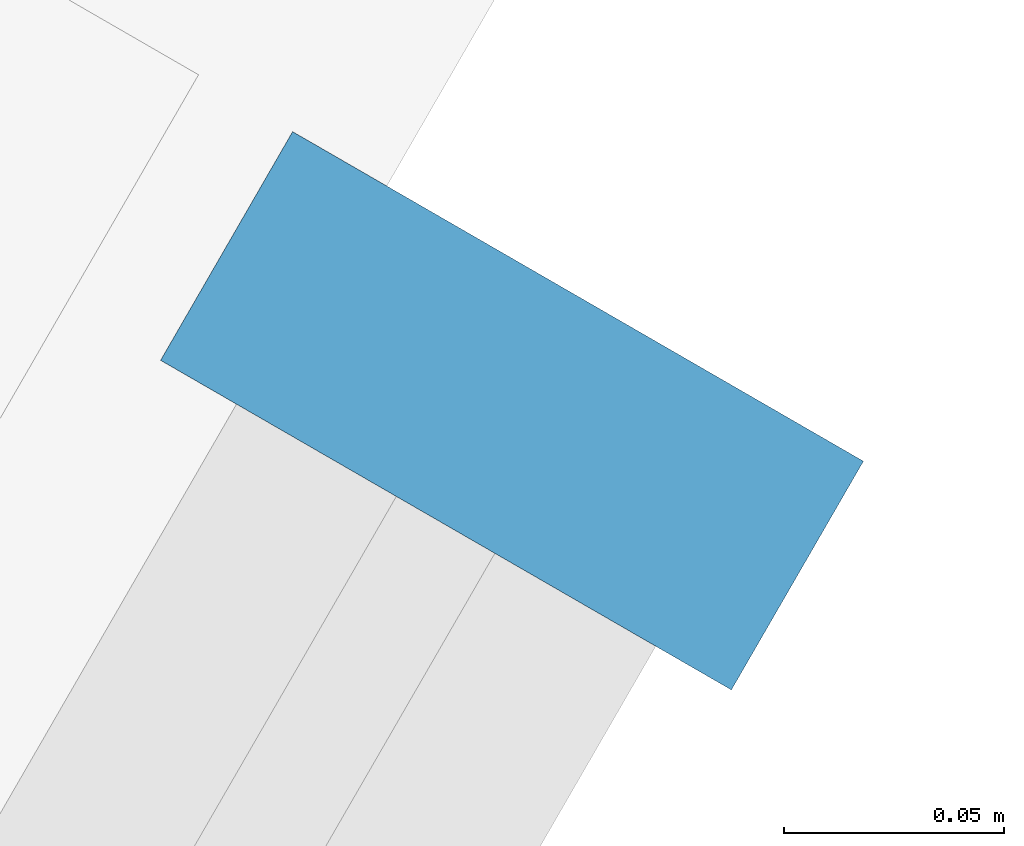
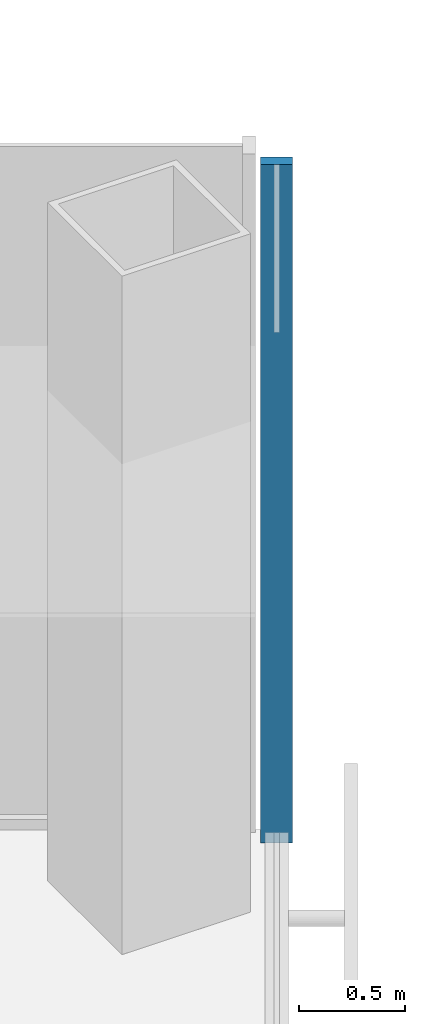
# One storey, part 9 of 18: 1 member, 1 element without a shape of its own.
"""IFC4 building model written with IfcOpenShell, lengths in metres."""

from ifc_helpers import new_model, si_unit, direction, frame, origin, origin_2d, place, context, subcontext, project, spatial, rectangle, extrude, material, material_profile, profile_set, type_object, element, aggregate, save


model = new_model("IFC4")

# Units and contexts
model_context = context("Model", 3, precision=1e-05, world=origin(), true_north=direction((0.0, 1.0)))
body_context = subcontext(model_context, "Body", "Model", "MODEL_VIEW")
ifc_project = project(units=[si_unit("LENGTHUNIT", "METRE"), si_unit("AREAUNIT", "SQUARE_METRE"), si_unit("VOLUMEUNIT", "CUBIC_METRE"), si_unit("PLANEANGLEUNIT", "RADIAN"), si_unit("MASSUNIT", "GRAM", prefix="KILO")], contexts=[model_context])

# Site, building, storey
site_placement = place(None, origin())
site = spatial("IfcSite", under=ifc_project, at=site_placement, CompositionType="ELEMENT")
building_placement = place(site_placement, origin())
building = spatial("IfcBuilding", under=site, at=building_placement, Name="Kasaneha Research Tower", CompositionType="ELEMENT")
storey_placement = place(building_placement, frame((0.0, 0.0, 172.10009765625)))
storey = spatial("IfcBuildingStorey", under=building, at=storey_placement, Name="L43", CompositionType="ELEMENT", Elevation=172.10009765625)

# Curtain wall, member
ifc_material_1 = material(Name="Glass and aluminium", Category="aluminium")
curtain_wall_type = type_object("IfcCurtainWallType", Name="Mid-rise office curtain wall", PredefinedType="USERDEFINED", material=ifc_material_1)
curtain_wall_placement = place(storey_placement, origin())
curtain_wall = element("IfcCurtainWall", 1, at=curtain_wall_placement, inside=storey, type_object=curtain_wall_type, Name="CW-O2 L43 run 04a", ObjectType="UNITISED CURTAIN WALL", PredefinedType="USERDEFINED")
ifc_material_2 = material(Name="Aluminium 6063-T6", Category="aluminium")
ifc_material_profile = material_profile(ifc_material_2, rectangle(XDim=0.06005859375, YDim=0.14990234375, at=origin_2d()), Name="CW-O2 mullion 60x150")
ifc_profile_set = profile_set([ifc_material_profile], Name="Aluminium 6063-T6")
member_type = type_object("IfcMemberType", Name="CW-O2 mullion", PredefinedType="MULLION", material=ifc_profile_set)
member_placement = place(storey_placement, frame((32.012939453125, -6.39306640625, 0.0), z_axis=(0.0, 0.0, 1.0), x_axis=(0.500000011442, 0.866025397178, 0.0)))
member = element("IfcMember", 2, at=member_placement, type_object=member_type, Name="CW-O2 mullion 4", PredefinedType="MULLION", context=body_context, shape_type="SweptSolid", body=[
    extrude(rectangle(XDim=0.06005859375, YDim=0.14990234375, at=origin_2d()), origin(), (0.0, 0.0, 1.0), 3.89990234375),
])
aggregate(curtain_wall, [member])

save(model, "model.ifc")
